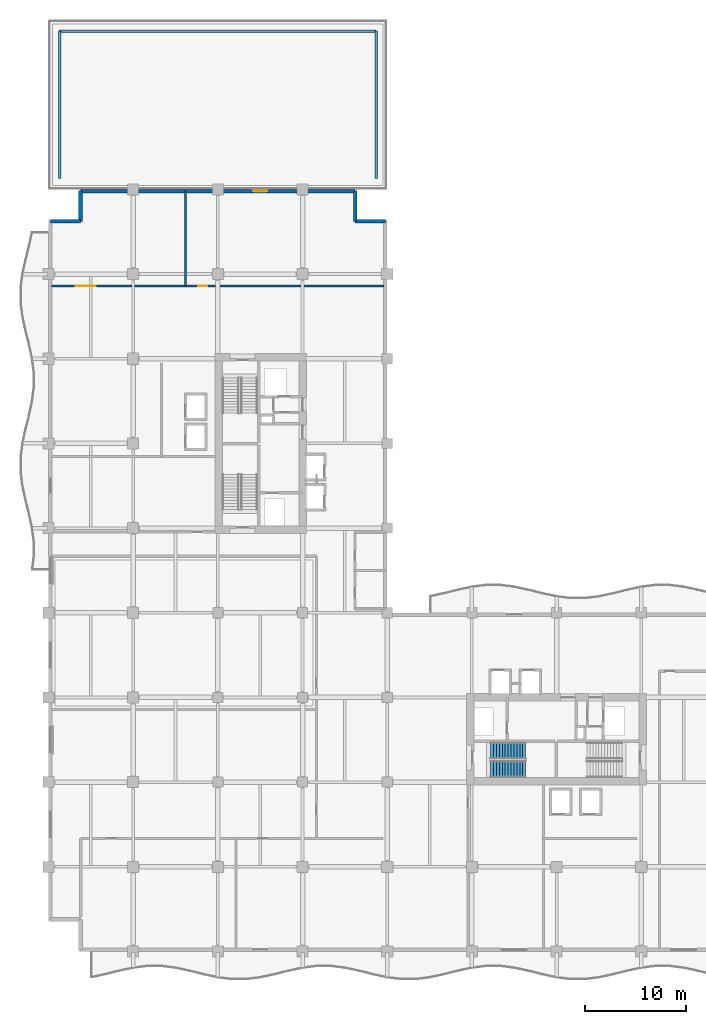
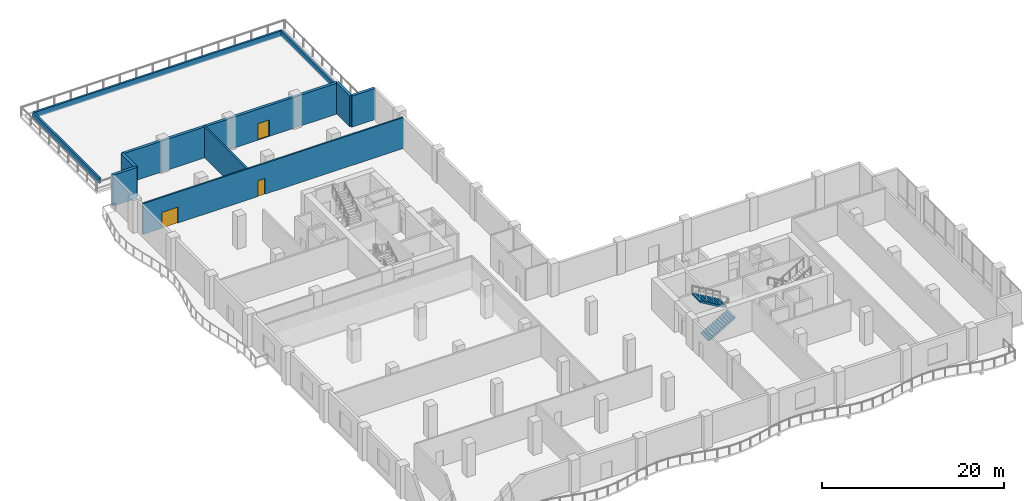
# One storey, part 15 of 22: 10 walls, 3 doors, 2 stair flights, 3 openings, 1 element without a shape of its own.
"""IFC4 building model written with IfcOpenShell, lengths in metres."""

import ifcopenshell
import ifcopenshell.guid

model = None  # the IFC model being written
_history = None  # IfcOwnerHistory: only IFC2X3 demands one
_inside = {}  # id of a spatial element -> (the spatial element, [elements in it])
_under = {}  # id of a project, library or spatial element -> (it, [spatial elements below it])
_declared = {}  # id of a project -> (the project, [libraries it declares])
_typed = {}  # id of a type object -> (the type object, [elements of that type])
_made_of = {}  # id of a material, layer set ... -> (it, [elements and type objects made of it])


def new_model(schema):
    """Start an empty IFC model of exactly this schema.

    Asked for "IFC4X3", IfcOpenShell would pick the latest addendum, in which some entities
    have other attributes; the version numbers below select the first issue.
    IFC2X3 requires an IfcOwnerHistory on every rooted entity: one is made here for all.
    """
    global model, _history
    if schema == "IFC4X3":
        model = ifcopenshell.file(schema_version=(4, 3, 0, 0))
    else:
        model = ifcopenshell.file(schema=schema)
    _inside.clear()
    _under.clear()
    _declared.clear()
    _typed.clear()
    _made_of.clear()
    _history = None
    if model.schema == "IFC2X3":
        org = make("IfcOrganization", Name="unknown")
        user = make(
            "IfcPersonAndOrganization",
            ThePerson=make("IfcPerson", FamilyName="unknown"),
            TheOrganization=org,
        )
        app = make(
            "IfcApplication",
            ApplicationDeveloper=org,
            Version="unknown",
            ApplicationFullName="unknown",
            ApplicationIdentifier="unknown",
        )
        _history = make(
            "IfcOwnerHistory",
            OwningUser=user,
            OwningApplication=app,
            ChangeAction="ADDED",
            CreationDate=0,
        )
    return model


def make(cls, **values):
    """One entity of the class cls with the attributes given. An attribute that is None is left unset."""
    return model.create_entity(
        cls, **{name: value for name, value in values.items() if value is not None}
    )


def rooted(cls, **values):
    """An entity with a GlobalId (a new one), such as an element, a storey or a relation."""
    return make(cls, GlobalId=ifcopenshell.guid.new(), OwnerHistory=_history, **values)


def si_unit(unit_type, name, prefix=None):
    """IfcSIUnit, for example si_unit("LENGTHUNIT", "METRE", prefix="MILLI")."""
    return make("IfcSIUnit", UnitType=unit_type, Prefix=prefix, Name=name)


def assignment(units):
    """IfcUnitAssignment: the units of a project."""
    return None if units is None else make("IfcUnitAssignment", Units=units)


def point(xyz):
    """IfcCartesianPoint."""
    return None if xyz is None else make("IfcCartesianPoint", Coordinates=xyz)


def direction(xyz):
    """IfcDirection."""
    return None if xyz is None else make("IfcDirection", DirectionRatios=xyz)


def frame(location, z_axis=None, x_axis=None):
    """IfcAxis2Placement3D, a coordinate frame: its origin and axes. An axis left out is left unset."""
    return make(
        "IfcAxis2Placement3D",
        Location=point(location),
        Axis=direction(z_axis),
        RefDirection=direction(x_axis),
    )


def frame_2d(location, x_axis=None):
    """IfcAxis2Placement2D, a coordinate frame in the plane: its origin and x axis."""
    return make(
        "IfcAxis2Placement2D", Location=point(location), RefDirection=direction(x_axis)
    )


def origin():
    """The frame at (0, 0, 0) with its axes left unset."""
    return frame((0.0, 0.0, 0.0))


def place(relative_to, where):
    """IfcLocalPlacement: puts the frame where relative to a parent placement (None: the world)."""
    return make(
        "IfcLocalPlacement", PlacementRelTo=relative_to, RelativePlacement=where
    )


def context(
    kind, dimensions, precision=None, world=None, true_north=None, identifier=None
):
    """IfcGeometricRepresentationContext, for example the 3D "Model" context."""
    return make(
        "IfcGeometricRepresentationContext",
        ContextIdentifier=identifier,
        ContextType=kind,
        CoordinateSpaceDimension=dimensions,
        Precision=precision,
        WorldCoordinateSystem=world,
        TrueNorth=true_north,
    )


def subcontext(parent, identifier, kind, view, scale=None):
    """IfcGeometricRepresentationSubContext, for example "Body" below "Model"."""
    return make(
        "IfcGeometricRepresentationSubContext",
        ContextIdentifier=identifier,
        ContextType=kind,
        ParentContext=parent,
        TargetScale=scale,
        TargetView=view,
    )


def project(units=None, contexts=None):
    """IfcProject with its units and contexts."""
    return rooted(
        "IfcProject",
        Name="project",
        RepresentationContexts=contexts,
        UnitsInContext=assignment(units),
    )


def spatial(cls, under=None, at=None, **own):
    """A site, building, storey or space (cls), placed at a placement, below another one or the project."""
    s = rooted(cls, ObjectPlacement=at, **own)
    if under is not None:
        _under.setdefault(under.id(), (under, []))[1].append(s)
    return s


def polyline(points):
    """IfcPolyline through the points."""
    return make("IfcPolyline", Points=[point(p) for p in points])


def profile(cls, at=None, kind="AREA", **sizes):
    """A parametric profile (cls). Its sizes go by their IFC names, for example OverallWidth=200.0."""
    return make(cls, ProfileType=kind, Position=at, **sizes)


def rectangle(**sizes):
    """IfcRectangleProfileDef."""
    return profile("IfcRectangleProfileDef", **sizes)


def outline(outer, holes=None, kind="AREA"):
    """IfcArbitraryClosedProfileDef: a profile drawn as a closed curve; with holes, ...WithVoids."""
    if holes is None:
        return make("IfcArbitraryClosedProfileDef", ProfileType=kind, OuterCurve=outer)
    return make(
        "IfcArbitraryProfileDefWithVoids",
        ProfileType=kind,
        OuterCurve=outer,
        InnerCurves=holes,
    )


def extrude(swept, where, along, depth):
    """IfcExtrudedAreaSolid: the profile swept, set in the frame where, extruded along a direction by depth."""
    return make(
        "IfcExtrudedAreaSolid",
        SweptArea=swept,
        Position=where,
        ExtrudedDirection=direction(along),
        Depth=depth,
    )


def shape(context_of_items, identifier, shape_type, items):
    """IfcShapeRepresentation: the items that make up one representation, for example the "Body"."""
    return make(
        "IfcShapeRepresentation",
        ContextOfItems=context_of_items,
        RepresentationIdentifier=identifier,
        RepresentationType=shape_type,
        Items=items,
    )


def material(Name=None, Category=None):
    """IfcMaterial."""
    return make("IfcMaterial", Name=Name, Category=Category)


def layer(
    of_material, thickness, ventilated=None, Name=None, Category=None, Priority=None
):
    """IfcMaterialLayer: one layer of a wall or slab, of a material (None: an air gap)."""
    return make(
        "IfcMaterialLayer",
        Material=of_material,
        LayerThickness=thickness,
        IsVentilated=ventilated,
        Name=Name,
        Category=Category,
        Priority=Priority,
    )


def layer_set(layers, Name=None):
    """IfcMaterialLayerSet."""
    return make("IfcMaterialLayerSet", MaterialLayers=layers, LayerSetName=Name)


def made_of(thing, what):
    """Note that an element or type object is made of a material, layer set ...; save() writes the relation."""
    if what is not None:
        _made_of.setdefault(what.id(), (what, []))[1].append(thing)
    return thing


def type_object(cls, material=None, **own):
    """A type object (cls), such as IfcWallType, which elements share."""
    return made_of(rooted(cls, **own), material)


def element(
    cls,
    number,
    at=None,
    inside=None,
    cuts=None,
    type_object=None,
    material=None,
    context=None,
    identifier="Body",
    shape_type=None,
    held_by="IfcProductDefinitionShape",
    body=None,
    shapes=None,
    **own,
):
    """One element of the class cls, such as IfcWall. Its Tag is "e" and its number.

    at: its placement. inside: the storey or other place that contains it. cuts: it is an
    opening in that element (IfcRelVoidsElement). A single representation is given by context,
    identifier, shape_type and body (its items); several are given by shapes. held_by: the class
    of the entity that holds the representations. save() writes the other relations.
    """
    e = rooted(cls, Tag="e%d" % number, ObjectPlacement=at, **own)
    if body is not None:
        shapes = [shape(context, identifier, shape_type, body)]
    if shapes is not None:
        e.Representation = make(held_by, Representations=shapes)
    if inside is not None:
        _inside.setdefault(inside.id(), (inside, []))[1].append(e)
    if cuts is not None:
        rooted(
            "IfcRelVoidsElement", RelatingBuildingElement=cuts, RelatedOpeningElement=e
        )
    if type_object is not None:
        _typed.setdefault(type_object.id(), (type_object, []))[1].append(e)
    return made_of(e, material)


def fill(opening, filler):
    """IfcRelFillsElement: the door or window that sits in an opening."""
    return rooted(
        "IfcRelFillsElement",
        RelatingOpeningElement=opening,
        RelatedBuildingElement=filler,
    )


def aggregate(whole, parts):
    """IfcRelAggregates: a whole, such as a stair, and the parts it consists of."""
    return rooted("IfcRelAggregates", RelatingObject=whole, RelatedObjects=parts)


def save(model, path):
    """Write the relations noted so far, then the file.

    IfcRelAggregates (storeys below a building ...), IfcRelContainedInSpatialStructure (elements
    in a storey), IfcRelDefinesByType, IfcRelAssociatesMaterial and IfcRelDeclares: one each for
    every whole, place, type object, material and project.
    """
    for whole, parts in _under.values():
        aggregate(whole, parts)
    for where, things in _inside.values():
        rooted(
            "IfcRelContainedInSpatialStructure",
            RelatedElements=things,
            RelatingStructure=where,
        )
    for kind, things in _typed.values():
        rooted("IfcRelDefinesByType", RelatedObjects=things, RelatingType=kind)
    for what, things in _made_of.values():
        rooted("IfcRelAssociatesMaterial", RelatedObjects=things, RelatingMaterial=what)
    for by, libraries in _declared.values():
        rooted("IfcRelDeclares", RelatingContext=by, RelatedDefinitions=libraries)
    model.write(path)


model = new_model("IFC4")

# Units and contexts
model_context = context("Model", 3, precision=1e-05, world=origin(), true_north=direction((0.0, 1.0)))
body_context = subcontext(model_context, "Body", "Model", "MODEL_VIEW")
ifc_project = project(units=[si_unit("LENGTHUNIT", "METRE"), si_unit("AREAUNIT", "SQUARE_METRE"), si_unit("VOLUMEUNIT", "CUBIC_METRE"), si_unit("PLANEANGLEUNIT", "RADIAN"), si_unit("MASSUNIT", "GRAM", prefix="KILO")], contexts=[model_context])

# Site, building, storey
site_placement = place(None, origin())
site = spatial("IfcSite", under=ifc_project, at=site_placement, CompositionType="ELEMENT")
building_placement = place(site_placement, origin())
building = spatial("IfcBuilding", under=site, at=building_placement, Name="Koriwani Terraces Tower", CompositionType="ELEMENT")
storey_placement = place(building_placement, frame((0.0, 0.0, 153.199951171875)))
storey = spatial("IfcBuildingStorey", under=building, at=storey_placement, Name="L37", CompositionType="ELEMENT", Elevation=153.199951171875)

# Wall, openings, doors
ifc_material_1 = material(Name="Autoclaved Cellular Concrete Blockwork", Category="masonry")
ifc_layer_1 = layer(ifc_material_1, 0.199951171875, Name="Autoclaved Cellular Concrete Blockwork")
ifc_layer_set_1 = layer_set([ifc_layer_1], Name="Autoclaved Cellular Concrete Blockwork")
wall_type_1 = type_object("IfcWallType", Name="WALL_CORRIDOR_200", PredefinedType="PARTITIONING", material=ifc_layer_set_1)
wall_1_placement = place(storey_placement, frame((0.300048828125, 66.0, 0.0), z_axis=(0.0, 0.0, 1.0), x_axis=(1.0, 0.0, 0.0)))
wall_1 = element("IfcWall", 1, at=wall_1_placement, inside=storey, type_object=wall_type_1, Name="L37 Interior Wall WSKY-N1-L37", PredefinedType="PARTITIONING", context=body_context, shape_type="SweptSolid", body=[
    extrude(rectangle(XDim=33.0, YDim=0.199951171875, at=frame_2d((16.5, 0.0))), origin(), (0.0, 0.0, 1.0), 4.150146484375),
])
opening_1_placement = place(wall_1_placement, frame((2.39990234375, 0.0, 0.0)))
opening_1 = element("IfcOpeningElement", 2, at=opening_1_placement, cuts=wall_1, Name="Opening D-02", PredefinedType="OPENING", context=body_context, shape_type="SweptSolid", body=[
    extrude(rectangle(XDim=2.0, YDim=2.14990234375, at=frame_2d((1.0, 1.074951171875))), frame((0.0, 0.10986328125, 0.0), z_axis=(0.0, -1.0, 0.0), x_axis=(1.0, 0.0, 0.0)), (0.0, 0.0, 1.0), 0.219970703125),
])
opening_2_placement = place(wall_1_placement, frame((14.550048828125, 0.0, 0.0)))
opening_2 = element("IfcOpeningElement", 3, at=opening_2_placement, cuts=wall_1, Name="Opening D-06", PredefinedType="OPENING", context=body_context, shape_type="SweptSolid", body=[
    extrude(rectangle(XDim=0.919921875, YDim=2.10009765625, at=frame_2d((0.4599609375, 1.050048828125))), frame((0.0, 0.10986328125, 0.0), z_axis=(0.0, -1.0, 0.0), x_axis=(1.0, 0.0, 0.0)), (0.0, 0.0, 1.0), 0.219970703125),
])
ifc_material_2 = material(Name="Anodised Bronze Aluminium", Category="aluminium")
door_type_1 = type_object("IfcDoorType", Name="DOOR_ENTRANCE_DOUBLE_2000X2400", OperationType="NOTDEFINED", PredefinedType="DOOR", material=ifc_material_2)
door_1_placement = place(opening_1_placement, origin())
door_1 = element("IfcDoor", 4, at=door_1_placement, inside=storey, type_object=door_type_1, Name="L37 North Wellness Studio Door", OperationType="SINGLE_SWING_LEFT", OverallHeight=2.14990234375, OverallWidth=2.0, PredefinedType="DOOR", context=body_context, shape_type="SweptSolid", body=[
    extrude(rectangle(XDim=2.0, YDim=2.14990234375, at=frame_2d((1.0, 1.074951171875))), frame((0.0, 0.02490234375, 0.0), z_axis=(0.0, -1.0, 0.0), x_axis=(1.0, 0.0, 0.0)), (0.0, 0.0, 1.0), 0.050048828125),
])
fill(opening_1, door_1)
ifc_material_3 = material(Name="Architectural Oak Fire Door", Category="wood")
door_type_2 = type_object("IfcDoorType", Name="DOOR_ROOM_INT_920X2100", OperationType="NOTDEFINED", PredefinedType="DOOR", material=ifc_material_3)
door_2_placement = place(opening_2_placement, origin())
door_2 = element("IfcDoor", 5, at=door_2_placement, inside=storey, type_object=door_type_2, Name="L37 North Observatory Salon Door", OperationType="SINGLE_SWING_RIGHT", OverallHeight=2.10009765625, OverallWidth=0.919921875, PredefinedType="DOOR", context=body_context, shape_type="SweptSolid", body=[
    extrude(rectangle(XDim=0.919921875, YDim=2.10009765625, at=frame_2d((0.4599609375, 1.050048828125))), frame((0.0, 0.02490234375, 0.0), z_axis=(0.0, -1.0, 0.0), x_axis=(1.0, 0.0, 0.0)), (0.0, 0.0, 1.0), 0.050048828125),
])
fill(opening_2, door_2)

# Walls
ifc_layer_2 = layer(ifc_material_1, 0.219970703125, Name="Autoclaved Cellular Concrete Blockwork")
ifc_layer_set_2 = layer_set([ifc_layer_2], Name="Autoclaved Cellular Concrete Blockwork")
wall_type_2 = type_object("IfcWallType", Name="WALL_DEMISING_220", PredefinedType="PARTITIONING", material=ifc_layer_set_2)
wall_2_placement = place(storey_placement, frame((13.60009765625, 66.0, 0.0), z_axis=(0.0, 0.0, 1.0), x_axis=(0.0, 1.0, 0.0)))
element("IfcWall", 6, at=wall_2_placement, inside=storey, type_object=wall_type_2, Name="L37 Interior Wall WSKY-NDIV-L37", PredefinedType="PARTITIONING", context=body_context, shape_type="SweptSolid", body=[
    extrude(rectangle(XDim=9.449951171875, YDim=0.219970703125, at=frame_2d((4.72509765625, 0.0))), origin(), (0.0, 0.0, 1.0), 4.150146484375),
])
ifc_material_4 = material(Name="Concrete C50/60", Category="concrete")
ifc_layer_3 = layer(ifc_material_4, 0.35009765625, Name="Concrete C50/60")
ifc_layer_set_3 = layer_set([ifc_layer_3], Name="Concrete C50/60")
wall_type_3 = type_object("IfcWallType", Name="WALL_EXT_BRUTALIST_350", PredefinedType="STANDARD", material=ifc_layer_set_3)
for number, where, z_axis, x_axis, name in (
    (7, (0.175048828125, 72.425048828125, 0.0), (0.0, 0.0, 1.0), (1.0, 0.0, 0.0), "L37 Fair-Faced Brutalist Exterior Wall (N3)"),
    (8, (3.175048828125, 72.425048828125, 0.0), (0.0, 0.0, 1.0), (0.0, 1.0, 0.0), "L37 Fair-Faced Brutalist Exterior Wall (N4)"),
):
    element("IfcWall", number, at=place(storey_placement, frame(where, z_axis=z_axis, x_axis=x_axis)), inside=storey, type_object=wall_type_3, Name=name, PredefinedType="STANDARD", context=body_context, shape_type="SweptSolid", body=[
        extrude(rectangle(XDim=3.0, YDim=0.35009765625, at=frame_2d((1.5, 0.0))), origin(), (0.0, 0.0, 1.0), 4.150146484375),
    ])

# Wall, opening, door
wall_3_placement = place(storey_placement, frame((3.175048828125, 75.425048828125, 0.0), z_axis=(0.0, 0.0, 1.0), x_axis=(1.0, 0.0, 0.0)))
wall_3 = element("IfcWall", 9, at=wall_3_placement, inside=storey, type_object=wall_type_3, Name="L37 Fair-Faced Brutalist Exterior Wall (N_TIP)", PredefinedType="STANDARD", context=body_context, shape_type="SweptSolid", body=[
    extrude(rectangle(XDim=27.25, YDim=0.35009765625, at=frame_2d((13.625, 0.0))), origin(), (0.0, 0.0, 1.0), 4.150146484375),
])
opening_3_placement = place(wall_3_placement, frame((17.125, 0.0, 0.0)))
opening_3 = element("IfcOpeningElement", 10, at=opening_3_placement, cuts=wall_3, Name="Opening D-09", PredefinedType="OPENING", context=body_context, shape_type="SweptSolid", body=[
    extrude(rectangle(XDim=1.39990234375, YDim=2.199951171875, at=frame_2d((0.699951171875, 1.10009765625))), frame((0.0, 0.18505859375, 0.0), z_axis=(0.0, -1.0, 0.0), x_axis=(1.0, 0.0, 0.0)), (0.0, 0.0, 1.0), 0.3701171875),
])
door_type_3 = type_object("IfcDoorType", Name="DOOR_BALCONY_GLAZED_1400X2200", OperationType="NOTDEFINED", PredefinedType="DOOR", material=ifc_material_2)
door_3_placement = place(opening_3_placement, origin())
door_3 = element("IfcDoor", 11, at=door_3_placement, inside=storey, type_object=door_type_3, Name="L37 North Sky-Garden Terrace Door", OperationType="SINGLE_SWING_LEFT", OverallHeight=2.199951171875, OverallWidth=1.39990234375, PredefinedType="DOOR", context=body_context, shape_type="SweptSolid", body=[
    extrude(rectangle(XDim=1.39990234375, YDim=2.199951171875, at=frame_2d((0.699951171875, 1.10009765625))), frame((0.0, 0.02490234375, 0.0), z_axis=(0.0, -1.0, 0.0), x_axis=(1.0, 0.0, 0.0)), (0.0, 0.0, 1.0), 0.050048828125),
])
fill(opening_3, door_3)

# Walls
for number, where, z_axis, x_axis, name in (
    (12, (30.425048828125, 75.425048828125, 0.0), (0.0, 0.0, 1.0), (0.0, -1.0, 0.0), "L37 Fair-Faced Brutalist Exterior Wall (N6)"),
    (13, (30.425048828125, 72.425048828125, 0.0), (0.0, 0.0, 1.0), (1.0, 0.0, 0.0), "L37 Fair-Faced Brutalist Exterior Wall (N7)"),
):
    element("IfcWall", number, at=place(storey_placement, frame(where, z_axis=z_axis, x_axis=x_axis)), inside=storey, type_object=wall_type_3, Name=name, PredefinedType="STANDARD", context=body_context, shape_type="SweptSolid", body=[
        extrude(rectangle(XDim=3.0, YDim=0.35009765625, at=frame_2d((1.5, 0.0))), origin(), (0.0, 0.0, 1.0), 4.150146484375),
    ])
ifc_material_5 = material(Name="Concrete C40/50", Category="concrete")
ifc_layer_4 = layer(ifc_material_5, 0.239990234375, Name="Concrete C40/50")
ifc_layer_set_4 = layer_set([ifc_layer_4], Name="Concrete C40/50")
wall_type_4 = type_object("IfcWallType", Name="WALL_TERRACE_PLANTER_240", PredefinedType="USERDEFINED", material=ifc_layer_set_4)
wall_4_placement = place(storey_placement, frame((1.10009765625, 76.699951171875, 0.0), z_axis=(0.0, 0.0, 1.0), x_axis=(0.0, 1.0, 0.0)))
element("IfcWall", 14, at=wall_4_placement, inside=storey, type_object=wall_type_4, Name="L37 Sky-Garden Planted Terrace Planter Wall 1", ObjectType="PLANTER", PredefinedType="USERDEFINED", context=body_context, shape_type="SweptSolid", body=[
    extrude(rectangle(XDim=14.60009765625, YDim=0.239990234375, at=frame_2d((7.300048828125, 0.0))), origin(), (0.0, 0.0, 1.0), 0.75),
])
wall_5_placement = place(storey_placement, frame((1.10009765625, 91.300048828125, 0.0), z_axis=(0.0, 0.0, 1.0), x_axis=(1.0, 0.0, 0.0)))
element("IfcWall", 15, at=wall_5_placement, inside=storey, type_object=wall_type_4, Name="L37 Sky-Garden Planted Terrace Planter Wall 2", ObjectType="PLANTER", PredefinedType="USERDEFINED", context=body_context, shape_type="SweptSolid", body=[
    extrude(rectangle(XDim=31.39990234375, YDim=0.239990234375, at=frame_2d((15.699951171875, 0.0))), origin(), (0.0, 0.0, 1.0), 0.75),
])
wall_6_placement = place(storey_placement, frame((32.5, 91.300048828125, 0.0), z_axis=(0.0, 0.0, 1.0), x_axis=(0.0, -1.0, 0.0)))
element("IfcWall", 16, at=wall_6_placement, inside=storey, type_object=wall_type_4, Name="L37 Sky-Garden Planted Terrace Planter Wall 3", ObjectType="PLANTER", PredefinedType="USERDEFINED", context=body_context, shape_type="SweptSolid", body=[
    extrude(rectangle(XDim=14.60009765625, YDim=0.239990234375, at=frame_2d((7.300048828125, 0.0))), origin(), (0.0, 0.0, 1.0), 0.75),
])

# Stair, stair flights
stair_type = type_object("IfcStairType", Name="STAIR_CORE_DOGLEG_1650", PredefinedType="TWO_STRAIGHT_RUN_STAIR", material=ifc_material_5)
stair_placement = place(storey_placement, origin())
stair = element("IfcStair", 17, at=stair_placement, inside=storey, type_object=stair_type, Name="L37 East Core Exit Stair 1", PredefinedType="HALF_TURN_STAIR")
stair_flight_type = type_object("IfcStairFlightType", Name="STAIR_FLIGHT_RC_1650", PredefinedType="STRAIGHT", material=ifc_material_5)
stair_flight_1_placement = place(storey_placement, frame((43.85009765625, 18.074951171875, 0.0), z_axis=(0.0, 0.0, 1.0), x_axis=(1.0, 0.0, 0.0)))
stair_flight_1 = element("IfcStairFlight", 18, at=stair_flight_1_placement, type_object=stair_flight_type, Name="ST-E1 flight 1", NumberOfRisers=13, NumberOfTreads=12, PredefinedType="STRAIGHT", RiserHeight=0.169230769, TreadLength=0.29, context=body_context, shape_type="SweptSolid", body=[
    extrude(outline(polyline([(0.0, 0.0), (0.0, 0.169189453125), (0.2900390625, 0.169189453125), (0.2900390625, 0.33837890625), (0.580078125, 0.33837890625), (0.580078125, 0.5078125), (0.8701171875, 0.5078125), (0.8701171875, 0.677001953125), (1.159912109375, 0.677001953125), (1.159912109375, 0.84619140625), (1.449951171875, 0.84619140625), (1.449951171875, 1.015380859375), (1.739990234375, 1.015380859375), (1.739990234375, 1.1845703125), (2.030029296875, 1.1845703125), (2.030029296875, 1.353759765625), (2.320068359375, 1.353759765625), (2.320068359375, 1.523193359375), (2.610107421875, 1.523193359375), (2.610107421875, 1.6923828125), (2.89990234375, 1.6923828125), (2.89990234375, 1.861572265625), (3.18994140625, 1.861572265625), (3.18994140625, 2.03076171875), (3.47998046875, 2.03076171875), (3.47998046875, 2.199951171875), (3.47998046875, 1.822509765625), (0.35693359375, 0.0), (0.0, 0.0)])), frame((0.0, 0.824951171875, 0.0), z_axis=(0.0, -1.0, 0.0), x_axis=(1.0, 0.0, 0.0)), (0.0, 0.0, 1.0), 1.64990234375),
])
stair_flight_2_placement = place(storey_placement, frame((47.330078125, 19.925048828125, 2.199951171875), z_axis=(0.0, 0.0, 1.0), x_axis=(-1.0, 0.0, 0.0)))
stair_flight_2 = element("IfcStairFlight", 19, at=stair_flight_2_placement, type_object=stair_flight_type, Name="ST-E1 flight 2", NumberOfRisers=13, NumberOfTreads=12, PredefinedType="STRAIGHT", RiserHeight=0.169230769, TreadLength=0.29, context=body_context, shape_type="SweptSolid", body=[
    extrude(outline(polyline([(0.0, 0.0), (0.0, 0.169189453125), (0.2900390625, 0.169189453125), (0.2900390625, 0.33837890625), (0.580078125, 0.33837890625), (0.580078125, 0.5078125), (0.8701171875, 0.5078125), (0.8701171875, 0.677001953125), (1.159912109375, 0.677001953125), (1.159912109375, 0.84619140625), (1.449951171875, 0.84619140625), (1.449951171875, 1.015380859375), (1.739990234375, 1.015380859375), (1.739990234375, 1.1845703125), (2.030029296875, 1.1845703125), (2.030029296875, 1.353759765625), (2.320068359375, 1.353759765625), (2.320068359375, 1.523193359375), (2.610107421875, 1.523193359375), (2.610107421875, 1.6923828125), (2.89990234375, 1.6923828125), (2.89990234375, 1.861572265625), (3.18994140625, 1.861572265625), (3.18994140625, 2.03076171875), (3.47998046875, 2.03076171875), (3.47998046875, 2.199951171875), (3.47998046875, 1.822509765625), (0.35693359375, 0.0), (0.0, 0.0)])), frame((0.0, 0.824951171875, 0.0), z_axis=(0.0, -1.0, 0.0), x_axis=(1.0, 0.0, 0.0)), (0.0, 0.0, 1.0), 1.64990234375),
])
aggregate(stair, [stair_flight_1, stair_flight_2])

save(model, "model.ifc")
